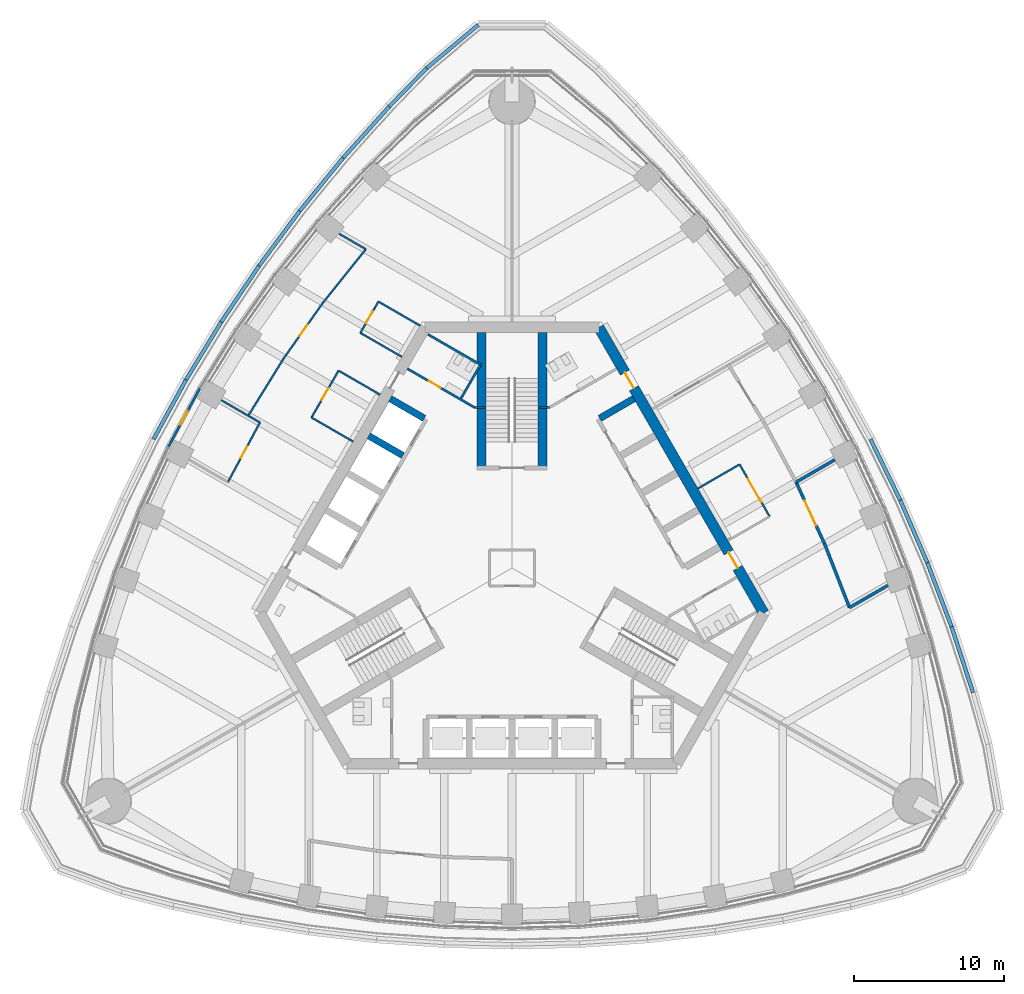
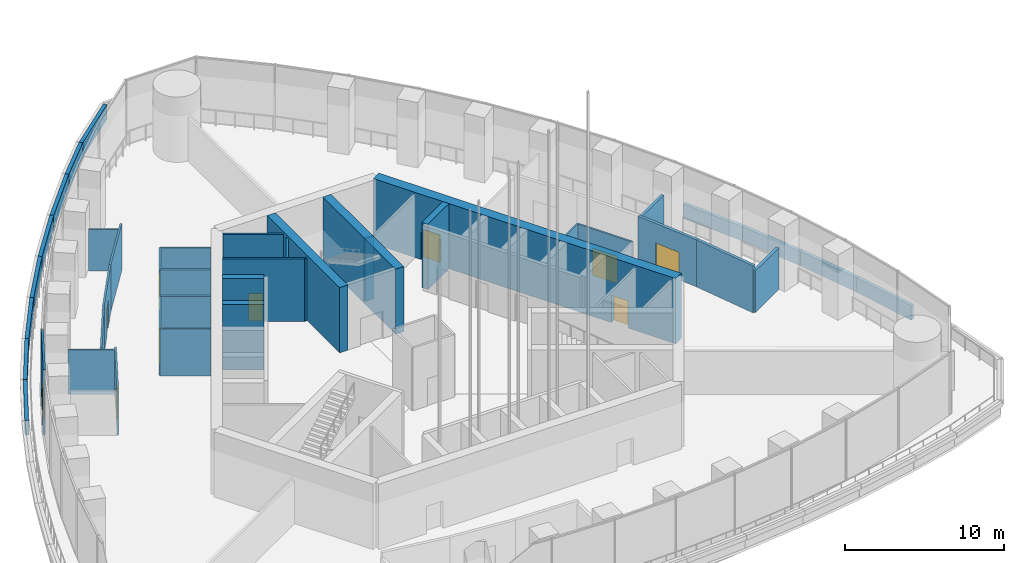
# One storey, part 11 of 26: 42 walls, 10 doors, 10 openings.
"""IFC4 building model written with IfcOpenShell, lengths in metres."""

from ifc_helpers import new_model, si_unit, direction, frame, frame_2d, origin, place, context, subcontext, project, spatial, rectangle, extrude, material, layer, layer_set, type_object, element, fill, save


model = new_model("IFC4")

# Units and contexts
model_context = context("Model", 3, precision=1e-05, world=origin(), true_north=direction((0.0, 1.0)))
body_context = subcontext(model_context, "Body", "Model", "MODEL_VIEW")
ifc_project = project(units=[si_unit("LENGTHUNIT", "METRE"), si_unit("AREAUNIT", "SQUARE_METRE"), si_unit("VOLUMEUNIT", "CUBIC_METRE"), si_unit("PLANEANGLEUNIT", "RADIAN"), si_unit("MASSUNIT", "GRAM", prefix="KILO")], contexts=[model_context])

# Site, building, storey
site_placement = place(None, origin())
site = spatial("IfcSite", under=ifc_project, at=site_placement, CompositionType="ELEMENT")
building_placement = place(site_placement, origin())
building = spatial("IfcBuilding", under=site, at=building_placement, Name="Trefoil Bronze Tower", CompositionType="ELEMENT")
storey_placement = place(building_placement, frame((0.0, 0.0, 271.300048828125)))
storey = spatial("IfcBuildingStorey", under=building, at=storey_placement, Name="L62", CompositionType="ELEMENT", Elevation=271.300048828125)

# Wall
ifc_material_1 = material(Name="Gypsum board on steel studs", Category="steel")
ifc_layer_1 = layer(ifc_material_1, 0.199951171875)
ifc_layer_set_1 = layer_set([ifc_layer_1], Name="Acoustic partition 200")
wall_type_1 = type_object("IfcWallType", Name="Acoustic partition 200", PredefinedType="PARTITIONING", material=ifc_layer_set_1)
wall_1_placement = place(storey_placement, frame((22.439208984375, -2.63330078125, 0.0), z_axis=(0.0, 0.0, 1.0), x_axis=(-0.363212149153, 0.931706463811, 0.0)))
element("IfcWall", 1, at=wall_1_placement, inside=storey, type_object=wall_type_1, Name="Partition F2 L62", PredefinedType="PARTITIONING", context=body_context, shape_type="SweptSolid", body=[
    extrude(rectangle(XDim=4.552734375, YDim=0.199951171875, at=frame_2d((2.2763671875, 0.0))), origin(), (0.0, 0.0, 1.0), 3.599853515625),
])

# Wall, opening, door
wall_2_placement = place(storey_placement, frame((20.78564453125, 1.6083984375, 0.0), z_axis=(0.0, 0.0, 1.0), x_axis=(-0.419335693458, 0.907831248742, 0.0)))
wall_2 = element("IfcWall", 2, at=wall_2_placement, inside=storey, type_object=wall_type_1, Name="Partition F2 L62", PredefinedType="PARTITIONING", context=body_context, shape_type="SweptSolid", body=[
    extrude(rectangle(XDim=4.5185546875, YDim=0.199951171875, at=frame_2d((2.25927734375, 0.0))), origin(), (0.0, 0.0, 1.0), 3.599853515625),
])
opening_1_placement = place(wall_2_placement, frame((1.35009765625, 0.0, 0.0)))
opening_1 = element("IfcOpeningElement", 3, at=opening_1_placement, cuts=wall_2, Name="Opening D10", PredefinedType="OPENING", context=body_context, shape_type="SweptSolid", body=[
    extrude(rectangle(XDim=1.800048828125, YDim=2.10009765625, at=frame_2d((0.89990234375, 1.050048828125))), frame((0.0, 0.10986328125, 0.0), z_axis=(0.0, -1.0, 0.0), x_axis=(1.0, 0.0, 0.0)), (0.0, 0.0, 1.0), 0.219970703125),
])
ifc_material_2 = material(Name="Timber door", Category="wood")
door_type_1 = type_object("IfcDoorType", Name="Double door 1800", OperationType="DOUBLE_DOOR_SINGLE_SWING", PredefinedType="DOOR", material=ifc_material_2)
door_1_placement = place(opening_1_placement, frame((1.800048828125, 0.0, 0.0), z_axis=(0.0, 0.0, 1.0), x_axis=(-1.0, 0.0, 0.0)))
door_1 = element("IfcDoor", 4, at=door_1_placement, inside=storey, type_object=door_type_1, Name="Private dining room door F2 L62", OperationType="DOUBLE_DOOR_SINGLE_SWING", OverallHeight=2.10009765625, OverallWidth=1.800048828125, PredefinedType="DOOR", context=body_context, shape_type="SweptSolid", body=[
    extrude(rectangle(XDim=1.800048828125, YDim=2.10009765625, at=frame_2d((0.89990234375, 1.050048828125))), frame((0.0, 0.02490234375, 0.0), z_axis=(0.0, -1.0, 0.0), x_axis=(1.0, 0.0, 0.0)), (0.0, 0.0, 1.0), 0.050048828125),
])
fill(opening_1, door_1)

# Walls
wall_3_placement = place(storey_placement, frame((22.439208984375, -2.63330078125, 0.0), z_axis=(0.0, 0.0, 1.0), x_axis=(0.866019881867, 0.500009564119, 0.0)))
element("IfcWall", 5, at=wall_3_placement, inside=storey, type_object=wall_type_1, Name="Partition F2 L62", PredefinedType="PARTITIONING", context=body_context, shape_type="SweptSolid", body=[
    extrude(rectangle(XDim=2.9443359375, YDim=0.199951171875, at=frame_2d((1.47216796875, 0.0))), origin(), (0.0, 0.0, 1.0), 3.199951171875),
])
wall_4_placement = place(storey_placement, frame((18.890869140625, 5.71044921875, 0.0), z_axis=(0.0, 0.0, 1.0), x_axis=(0.866032134716, 0.499988341504, 0.0)))
element("IfcWall", 6, at=wall_4_placement, inside=storey, type_object=wall_type_1, Name="Partition F2 L62", PredefinedType="PARTITIONING", context=body_context, shape_type="SweptSolid", body=[
    extrude(rectangle(XDim=2.96728515625, YDim=0.199951171875, at=frame_2d((1.483642578125, 0.0))), origin(), (0.0, 0.0, 1.0), 3.39990234375),
])

# Wall, openings, doors
ifc_material_3 = material(Name="Concrete B80", Category="concrete")
ifc_layer_2 = layer(ifc_material_3, 0.699951171875)
ifc_layer_set_2 = layer_set([ifc_layer_2], Name="Core wall 700")
wall_type_2 = type_object("IfcWallType", Name="Core wall 700", PredefinedType="SHEAR", material=ifc_layer_set_2)
wall_5_placement = place(storey_placement, frame((16.7431640625, -3.0, 0.0), z_axis=(0.0, 0.0, 1.0), x_axis=(-0.500002442456, 0.866023993627, 0.0)))
wall_5 = element("IfcWall", 7, at=wall_5_placement, inside=storey, type_object=wall_type_2, Name="Core long wall 2 L62", PredefinedType="SHEAR", context=body_context, shape_type="SweptSolid", body=[
    extrude(rectangle(XDim=21.939453125, YDim=0.699951171875, at=frame_2d((10.9697265625, 0.0))), origin(), (0.0, 0.0, 1.0), 5.0),
])
opening_2_placement = place(wall_5_placement, frame((17.269775390625, 0.0, 0.0)))
opening_2 = element("IfcOpeningElement", 8, at=opening_2_placement, cuts=wall_5, Name="Opening D2", PredefinedType="OPENING", context=body_context, shape_type="SweptSolid", body=[
    extrude(rectangle(XDim=1.199951171875, YDim=2.10009765625, at=frame_2d((0.60009765625, 1.050048828125))), frame((0.0, 0.35986328125, 0.0), z_axis=(0.0, -1.0, 0.0), x_axis=(1.0, 0.0, 0.0)), (0.0, 0.0, 1.0), 0.719970703125),
])
opening_3_placement = place(wall_5_placement, frame((3.4697265625, 0.0, 0.0)))
opening_3 = element("IfcOpeningElement", 9, at=opening_3_placement, cuts=wall_5, Name="Opening D2", PredefinedType="OPENING", context=body_context, shape_type="SweptSolid", body=[
    extrude(rectangle(XDim=1.199951171875, YDim=2.10009765625, at=frame_2d((0.60009765625, 1.050048828125))), frame((0.0, 0.35986328125, 0.0), z_axis=(0.0, -1.0, 0.0), x_axis=(1.0, 0.0, 0.0)), (0.0, 0.0, 1.0), 0.719970703125),
])
ifc_material_4 = material(Name="Steel door", Category="steel")
door_type_2 = type_object("IfcDoorType", Name="Lobby door 1200", OperationType="SINGLE_SWING_RIGHT", PredefinedType="DOOR", material=ifc_material_4)
door_2_placement = place(opening_2_placement, origin())
door_2 = element("IfcDoor", 10, at=door_2_placement, inside=storey, type_object=door_type_2, Name="Lobby door F2+ L62", OperationType="SINGLE_SWING_RIGHT", OverallHeight=2.10009765625, OverallWidth=1.199951171875, PredefinedType="DOOR", context=body_context, shape_type="SweptSolid", body=[
    extrude(rectangle(XDim=1.199951171875, YDim=2.10009765625, at=frame_2d((0.60009765625, 1.050048828125))), frame((0.0, 0.02490234375, 0.0), z_axis=(0.0, -1.0, 0.0), x_axis=(1.0, 0.0, 0.0)), (0.0, 0.0, 1.0), 0.050048828125),
])
fill(opening_2, door_2)
door_3_placement = place(opening_3_placement, origin())
door_3 = element("IfcDoor", 11, at=door_3_placement, inside=storey, type_object=door_type_2, Name="Lobby door F2- L62", OperationType="SINGLE_SWING_LEFT", OverallHeight=2.10009765625, OverallWidth=1.199951171875, PredefinedType="DOOR", context=body_context, shape_type="SweptSolid", body=[
    extrude(rectangle(XDim=1.199951171875, YDim=2.10009765625, at=frame_2d((0.60009765625, 1.050048828125))), frame((0.0, 0.02490234375, 0.0), z_axis=(0.0, -1.0, 0.0), x_axis=(1.0, 0.0, 0.0)), (0.0, 0.0, 1.0), 0.050048828125),
])
fill(opening_3, door_3)

# Wall, opening, door
ifc_material_5 = material(Name="Bronze-framed glazed screen", Category="glass")
ifc_layer_3 = layer(ifc_material_5, 0.14990234375)
ifc_layer_set_3 = layer_set([ifc_layer_3], Name="Entrance screen 150")
wall_type_3 = type_object("IfcWallType", Name="Entrance screen 150", PredefinedType="SOLIDWALL", material=ifc_layer_set_3)
wall_6_placement = place(storey_placement, frame((-20.7607421875, 11.9423828125, 0.0), z_axis=(0.0, 0.0, 1.0), x_axis=(-0.473567582955, -0.880757483292, 0.0)))
wall_6 = element("IfcWall", 12, at=wall_6_placement, inside=storey, type_object=wall_type_3, Name="Roof access screen CW-D L62 F3", PredefinedType="SOLIDWALL", context=body_context, shape_type="SweptSolid", body=[
    extrude(rectangle(XDim=4.43212890625, YDim=0.14990234375, at=frame_2d((2.216064453125, 0.0))), origin(), (0.0, 0.0, 1.0), 4.97998046875),
])
opening_4_placement = place(wall_6_placement, frame((1.716064453125, 0.0, 0.0)))
opening_4 = element("IfcOpeningElement", 13, at=opening_4_placement, cuts=wall_6, Name="Opening DE5", PredefinedType="OPENING", context=body_context, shape_type="SweptSolid", body=[
    extrude(rectangle(XDim=1.0, YDim=2.10009765625, at=frame_2d((0.5, 1.050048828125))), frame((0.0, 0.0849609375, 0.0), z_axis=(0.0, -1.0, 0.0), x_axis=(1.0, 0.0, 0.0)), (0.0, 0.0, 1.0), 0.169921875),
])
ifc_material_6 = material(Name="Steel door", Category="steel")
door_type_3 = type_object("IfcDoorType", Name="Roof access door 1000", OperationType="SINGLE_SWING_LEFT", PredefinedType="DOOR", material=ifc_material_6)
door_4_placement = place(opening_4_placement, origin())
door_4 = element("IfcDoor", 14, at=door_4_placement, inside=storey, type_object=door_type_3, Name="Roof access door F3 L62", OperationType="SINGLE_SWING_RIGHT", OverallHeight=2.10009765625, OverallWidth=1.0, PredefinedType="DOOR", context=body_context, shape_type="SweptSolid", body=[
    extrude(rectangle(XDim=1.0, YDim=2.10009765625, at=frame_2d((0.5, 1.050048828125))), frame((0.0, 0.02490234375, 0.0), z_axis=(0.0, -1.0, 0.0), x_axis=(1.0, 0.0, 0.0)), (0.0, 0.0, 1.0), 0.050048828125),
])
fill(opening_4, door_4)

ifc_material_7 = material(Name="Glazed partition", Category="glass")
ifc_layer_4 = layer(ifc_material_7, 0.1201171875)
ifc_layer_set_4 = layer_set([ifc_layer_4], Name="Glazed partition 120")
wall_type_4 = type_object("IfcWallType", Name="Glazed partition 120", PredefinedType="PARTITIONING", material=ifc_layer_set_4)
wall_7_placement = place(storey_placement, frame((17.1328125, 3.42529296875, 0.0), z_axis=(0.0, 0.0, 1.0), x_axis=(-0.49999894854, 0.866026010844, 0.0)))
wall_7 = element("IfcWall", 15, at=wall_7_placement, inside=storey, type_object=wall_type_4, Name="Partition F2 L62", PredefinedType="PARTITIONING", context=body_context, shape_type="SweptSolid", body=[
    extrude(rectangle(XDim=4.0, YDim=0.1201171875, at=frame_2d((2.0, 0.0))), origin(), (0.0, 0.0, 1.0), 3.599853515625),
])
opening_5_placement = place(wall_7_placement, frame((1.10009765625, 0.0, 0.0)))
opening_5 = element("IfcOpeningElement", 16, at=opening_5_placement, cuts=wall_7, Name="Opening D10", PredefinedType="OPENING", context=body_context, shape_type="SweptSolid", body=[
    extrude(rectangle(XDim=1.800048828125, YDim=2.10009765625, at=frame_2d((0.89990234375, 1.050048828125))), frame((0.0, 0.070068359375, 0.0), z_axis=(0.0, -1.0, 0.0), x_axis=(1.0, 0.0, 0.0)), (0.0, 0.0, 1.0), 0.14013671875),
])
door_5_placement = place(opening_5_placement, origin())
door_5 = element("IfcDoor", 17, at=door_5_placement, inside=storey, type_object=door_type_1, Name="Servery door F2 L62", OperationType="DOUBLE_DOOR_SINGLE_SWING", OverallHeight=2.10009765625, OverallWidth=1.800048828125, PredefinedType="DOOR", context=body_context, shape_type="SweptSolid", body=[
    extrude(rectangle(XDim=1.800048828125, YDim=2.10009765625, at=frame_2d((0.89990234375, 1.050048828125))), frame((0.0, 0.02490234375, 0.0), z_axis=(0.0, -1.0, 0.0), x_axis=(1.0, 0.0, 0.0)), (0.0, 0.0, 1.0), 0.050048828125),
])
fill(opening_5, door_5)

# Wall
wall_8_placement = place(storey_placement, frame((12.361328125, 5.289306640625, 0.0), z_axis=(0.0, 0.0, 1.0), x_axis=(0.866028054938, 0.499995408039, 0.0)))
element("IfcWall", 18, at=wall_8_placement, inside=storey, type_object=wall_type_4, Name="Partition F2 L62", PredefinedType="PARTITIONING", context=body_context, shape_type="SweptSolid", body=[
    extrude(rectangle(XDim=3.2001953125, YDim=0.1201171875, at=frame_2d((1.60009765625, 0.0))), origin(), (0.0, 0.0, 1.0), 3.599853515625),
])

# Wall, opening, door
wall_9_placement = place(storey_placement, frame((-8.8828125, 17.714599609375, 0.0), z_axis=(0.0, 0.0, 1.0), x_axis=(-0.500001309137, -0.866024647952, 0.0)))
wall_9 = element("IfcWall", 19, at=wall_9_placement, inside=storey, type_object=wall_type_4, Name="Partition F3 L62", PredefinedType="PARTITIONING", context=body_context, shape_type="SweptSolid", body=[
    extrude(rectangle(XDim=2.39990234375, YDim=0.1201171875, at=frame_2d((1.199951171875, 0.0))), origin(), (0.0, 0.0, 1.0), 3.599853515625),
])
opening_6_placement = place(wall_9_placement, frame((0.75, 0.0, 0.0)))
opening_6 = element("IfcOpeningElement", 20, at=opening_6_placement, cuts=wall_9, Name="Opening D8", PredefinedType="OPENING", context=body_context, shape_type="SweptSolid", body=[
    extrude(rectangle(XDim=0.89990234375, YDim=2.10009765625, at=frame_2d((0.449951171875, 1.050048828125))), frame((0.0, 0.070068359375, 0.0), z_axis=(0.0, -1.0, 0.0), x_axis=(1.0, 0.0, 0.0)), (0.0, 0.0, 1.0), 0.14013671875),
])
ifc_material_8 = material(Name="Timber door", Category="wood")
door_type_4 = type_object("IfcDoorType", Name="Office door 900", OperationType="SINGLE_SWING_LEFT", PredefinedType="DOOR", material=ifc_material_8)
door_6_placement = place(opening_6_placement, origin())
door_6 = element("IfcDoor", 21, at=door_6_placement, inside=storey, type_object=door_type_4, Name="Store door F3 L62", OperationType="SINGLE_SWING_RIGHT", OverallHeight=2.10009765625, OverallWidth=0.89990234375, PredefinedType="DOOR", context=body_context, shape_type="SweptSolid", body=[
    extrude(rectangle(XDim=0.89990234375, YDim=2.10009765625, at=frame_2d((0.449951171875, 1.050048828125))), frame((0.0, 0.02490234375, 0.0), z_axis=(0.0, -1.0, 0.0), x_axis=(1.0, 0.0, 0.0)), (0.0, 0.0, 1.0), 0.050048828125),
])
fill(opening_6, door_6)

wall_10_placement = place(storey_placement, frame((-11.53271484375, 13.124755859375, 0.0), z_axis=(0.0, 0.0, 1.0), x_axis=(-0.500012057535, -0.866018442252, 0.0)))
wall_10 = element("IfcWall", 22, at=wall_10_placement, inside=storey, type_object=wall_type_4, Name="Partition F3 L62", PredefinedType="PARTITIONING", context=body_context, shape_type="SweptSolid", body=[
    extrude(rectangle(XDim=3.60009765625, YDim=0.1201171875, at=frame_2d((1.800048828125, 0.0))), origin(), (0.0, 0.0, 1.0), 3.599853515625),
])
opening_7_placement = place(wall_10_placement, frame((1.35009765625, 0.0, 0.0)))
opening_7 = element("IfcOpeningElement", 23, at=opening_7_placement, cuts=wall_10, Name="Opening D8", PredefinedType="OPENING", context=body_context, shape_type="SweptSolid", body=[
    extrude(rectangle(XDim=0.89990234375, YDim=2.10009765625, at=frame_2d((0.449951171875, 1.050048828125))), frame((0.0, 0.070068359375, 0.0), z_axis=(0.0, -1.0, 0.0), x_axis=(1.0, 0.0, 0.0)), (0.0, 0.0, 1.0), 0.14013671875),
])
door_7_placement = place(opening_7_placement, origin())
door_7 = element("IfcDoor", 24, at=door_7_placement, inside=storey, type_object=door_type_4, Name="Cloakroom door F3 L62", OperationType="SINGLE_SWING_RIGHT", OverallHeight=2.10009765625, OverallWidth=0.89990234375, PredefinedType="DOOR", context=body_context, shape_type="SweptSolid", body=[
    extrude(rectangle(XDim=0.89990234375, YDim=2.10009765625, at=frame_2d((0.449951171875, 1.050048828125))), frame((0.0, 0.02490234375, 0.0), z_axis=(0.0, -1.0, 0.0), x_axis=(1.0, 0.0, 0.0)), (0.0, 0.0, 1.0), 0.050048828125),
])
fill(opening_7, door_7)

# Walls
wall_11_placement = place(storey_placement, frame((-6.111328125, 16.11474609375, 0.0), z_axis=(0.0, 0.0, 1.0), x_axis=(-0.866061088033, 0.499938187974, 0.0)))
element("IfcWall", 25, at=wall_11_placement, inside=storey, type_object=wall_type_4, Name="Partition F3 L62", PredefinedType="PARTITIONING", context=body_context, shape_type="SweptSolid", body=[
    extrude(rectangle(XDim=3.2001953125, YDim=0.1201171875, at=frame_2d((1.60009765625, 0.0))), origin(), (0.0, 0.0, 1.0), 3.599853515625),
])
for number, where, z_axis, x_axis, name in (
    (26, (-10.5615234375, 8.406982421875, 0.0), (0.0, 0.0, 1.0), (-0.866008981251, 0.500028443584, 0.0), "Partition F3 L62"),
    (27, (-8.761474609375, 11.524658203125, 0.0), (0.0, 0.0, 1.0), (-0.866008981251, 0.500028443584, 0.0), "Partition F3 L62"),
    (28, (-7.3115234375, 14.0361328125, 0.0), (0.0, 0.0, 1.0), (-0.866008981251, 0.500028443584, 0.0), "Partition F3 L62"),
):
    element("IfcWall", number, at=place(storey_placement, frame(where, z_axis=z_axis, x_axis=x_axis)), inside=storey, type_object=wall_type_4, Name=name, PredefinedType="PARTITIONING", context=body_context, shape_type="SweptSolid", body=[
        extrude(rectangle(XDim=3.199951171875, YDim=0.1201171875, at=frame_2d((1.60009765625, 0.0))), origin(), (0.0, 0.0, 1.0), 3.599853515625),
    ])

# Wall, opening, door
wall_12_placement = place(storey_placement, frame((-16.759033203125, 9.67578125, 0.0), z_axis=(0.0, 0.0, 1.0), x_axis=(-0.473524102582, -0.880780860529, 0.0)))
wall_12 = element("IfcWall", 29, at=wall_12_placement, inside=storey, type_object=wall_type_4, Name="Partition F3 L62", PredefinedType="PARTITIONING", context=body_context, shape_type="SweptSolid", body=[
    extrude(rectangle(XDim=4.501953125, YDim=0.1201171875, at=frame_2d((2.2509765625, 0.0))), origin(), (0.0, 0.0, 1.0), 3.599853515625),
])
opening_8_placement = place(wall_12_placement, frame((1.800048828125, 0.0, 0.0)))
opening_8 = element("IfcOpeningElement", 30, at=opening_8_placement, cuts=wall_12, Name="Opening D8", PredefinedType="OPENING", context=body_context, shape_type="SweptSolid", body=[
    extrude(rectangle(XDim=0.89990234375, YDim=2.10009765625, at=frame_2d((0.449951171875, 1.050048828125))), frame((0.0, 0.070068359375, 0.0), z_axis=(0.0, -1.0, 0.0), x_axis=(1.0, 0.0, 0.0)), (0.0, 0.0, 1.0), 0.14013671875),
])
door_8_placement = place(opening_8_placement, frame((0.89990234375, 0.0, 0.0), z_axis=(0.0, 0.0, 1.0), x_axis=(-1.0, 0.0, 0.0)))
door_8 = element("IfcDoor", 31, at=door_8_placement, inside=storey, type_object=door_type_4, Name="Roof access plant room door F3 L62", OperationType="SINGLE_SWING_RIGHT", OverallHeight=2.10009765625, OverallWidth=0.89990234375, PredefinedType="DOOR", context=body_context, shape_type="SweptSolid", body=[
    extrude(rectangle(XDim=0.89990234375, YDim=2.10009765625, at=frame_2d((0.449951171875, 1.050048828125))), frame((0.0, 0.02490234375, 0.0), z_axis=(0.0, -1.0, 0.0), x_axis=(1.0, 0.0, 0.0)), (0.0, 0.0, 1.0), 0.050048828125),
])
fill(opening_8, door_8)

# Walls
wall_13_placement = place(storey_placement, frame((-9.718505859375, 21.199462890625, 0.0), z_axis=(0.0, 0.0, 1.0), x_axis=(-0.625296536395, -0.780387238218, 0.0)))
element("IfcWall", 32, at=wall_13_placement, inside=storey, type_object=wall_type_4, Name="Partition F3 L62", PredefinedType="PARTITIONING", context=body_context, shape_type="SweptSolid", body=[
    extrude(rectangle(XDim=4.552490234375, YDim=0.1201171875, at=frame_2d((2.2763671875, 0.0))), origin(), (0.0, 0.0, 1.0), 3.599853515625),
])
wall_14_placement = place(storey_placement, frame((-15.17041015625, 13.954833984375, 0.0), z_axis=(0.0, 0.0, 1.0), x_axis=(-0.525956915034, -0.850511213052, 0.0)))
element("IfcWall", 33, at=wall_14_placement, inside=storey, type_object=wall_type_4, Name="Partition F3 L62", PredefinedType="PARTITIONING", context=body_context, shape_type="SweptSolid", body=[
    extrude(rectangle(XDim=4.502197265625, YDim=0.1201171875, at=frame_2d((2.2509765625, 0.0))), origin(), (0.0, 0.0, 1.0), 3.599853515625),
])

# Wall, opening, door
wall_15_placement = place(storey_placement, frame((-12.565185546875, 17.646728515625, 0.0), z_axis=(0.0, 0.0, 1.0), x_axis=(-0.576562277172, -0.817053205454, 0.0)))
wall_15 = element("IfcWall", 34, at=wall_15_placement, inside=storey, type_object=wall_type_4, Name="Partition F3 L62", PredefinedType="PARTITIONING", context=body_context, shape_type="SweptSolid", body=[
    extrude(rectangle(XDim=4.5185546875, YDim=0.1201171875, at=frame_2d((2.25927734375, 0.0))), origin(), (0.0, 0.0, 1.0), 3.599853515625),
])
opening_9_placement = place(wall_15_placement, frame((1.800048828125, 0.0, 0.0)))
opening_9 = element("IfcOpeningElement", 35, at=opening_9_placement, cuts=wall_15, Name="Opening D8", PredefinedType="OPENING", context=body_context, shape_type="SweptSolid", body=[
    extrude(rectangle(XDim=0.89990234375, YDim=2.10009765625, at=frame_2d((0.449951171875, 1.050048828125))), frame((0.0, 0.070068359375, 0.0), z_axis=(0.0, -1.0, 0.0), x_axis=(1.0, 0.0, 0.0)), (0.0, 0.0, 1.0), 0.14013671875),
])
door_9_placement = place(opening_9_placement, frame((0.89990234375, 0.0, 0.0), z_axis=(0.0, 0.0, 1.0), x_axis=(-1.0, 0.0, 0.0)))
door_9 = element("IfcDoor", 36, at=door_9_placement, inside=storey, type_object=door_type_4, Name="Wine room door F3 L62", OperationType="SINGLE_SWING_RIGHT", OverallHeight=2.10009765625, OverallWidth=0.89990234375, PredefinedType="DOOR", context=body_context, shape_type="SweptSolid", body=[
    extrude(rectangle(XDim=0.89990234375, YDim=2.10009765625, at=frame_2d((0.449951171875, 1.050048828125))), frame((0.0, 0.02490234375, 0.0), z_axis=(0.0, -1.0, 0.0), x_axis=(1.0, 0.0, 0.0)), (0.0, 0.0, 1.0), 0.050048828125),
])
fill(opening_9, door_9)

# Walls
wall_16_placement = place(storey_placement, frame((-16.759033203125, 9.67578125, 0.0), z_axis=(0.0, 0.0, 1.0), x_axis=(-0.866003515251, 0.500037910135, 0.0)))
element("IfcWall", 37, at=wall_16_placement, inside=storey, type_object=wall_type_4, Name="Partition F3 L62", PredefinedType="PARTITIONING", context=body_context, shape_type="SweptSolid", body=[
    extrude(rectangle(XDim=2.969970703125, YDim=0.1201171875, at=frame_2d((1.48486328125, 0.0))), origin(), (0.0, 0.0, 1.0), 3.39990234375),
])
wall_17_placement = place(storey_placement, frame((-9.718505859375, 21.199462890625, 0.0), z_axis=(0.0, 0.0, 1.0), x_axis=(-0.866022515895, 0.500005001938, 0.0)))
element("IfcWall", 38, at=wall_17_placement, inside=storey, type_object=wall_type_4, Name="Partition F3 L62", PredefinedType="PARTITIONING", context=body_context, shape_type="SweptSolid", body=[
    extrude(rectangle(XDim=2.04443359375, YDim=0.1201171875, at=frame_2d((1.022216796875, 0.0))), origin(), (0.0, 0.0, 1.0), 3.199951171875),
])
ifc_material_9 = material(Name="Concrete B80", Category="concrete")
ifc_layer_5 = layer(ifc_material_9, 0.449951171875)
ifc_layer_set_5 = layer_set([ifc_layer_5], Name="Outrigger shaft wall 450")
wall_type_5 = type_object("IfcWallType", Name="Outrigger shaft wall 450", PredefinedType="SHEAR", material=ifc_layer_set_5)
for number, where, z_axis, x_axis, name in (
    (39, (5.831787109375, 9.94873046875, 0.0), (0.0, 0.0, 1.0), (0.866036909293, 0.499980071345, 0.0), "Lift shaft side wall B4 L62"),
    (40, (-5.831787109375, 9.94873046875, 0.0), (0.0, 0.0, 1.0), (-0.866036909293, 0.499980071345, 0.0), "Lift shaft side wall C0 L62"),
    (41, (-7.2568359375, 7.480712890625, 0.0), (0.0, 0.0, 1.0), (-0.866036909293, 0.499980071345, 0.0), "Lift shaft side wall C1 L62"),
):
    element("IfcWall", number, at=place(storey_placement, frame(where, z_axis=z_axis, x_axis=x_axis)), inside=storey, type_object=wall_type_5, Name=name, PredefinedType="SHEAR", context=body_context, shape_type="SweptSolid", body=[
        extrude(rectangle(XDim=2.625, YDim=0.449951171875, at=frame_2d((1.3125, 0.0))), origin(), (0.0, 0.0, 1.0), 5.0),
    ])
ifc_material_10 = material(Name="Concrete B80", Category="concrete")
ifc_layer_6 = layer(ifc_material_10, 0.25)
ifc_layer_set_6 = layer_set([ifc_layer_6], Name="Parapet 250")
wall_type_6 = type_object("IfcWallType", Name="Parapet 250", PredefinedType="PARAPET", material=ifc_layer_set_6)
wall_18_placement = place(storey_placement, frame((30.655029296875, -8.281982421875, 0.0), z_axis=(0.0, 0.0, 1.0), x_axis=(-0.310154105003, 0.950686294815, 0.0)))
element("IfcWall", 42, at=wall_18_placement, inside=storey, type_object=wall_type_6, Name="Parapet L62.17", PredefinedType="PARAPET", context=body_context, shape_type="SweptSolid", body=[
    extrude(rectangle(XDim=4.599365234375, YDim=0.25, at=frame_2d((2.2998046875, 0.0))), origin(), (0.0, 0.0, 1.0), 1.099853515625),
])
wall_19_placement = place(storey_placement, frame((29.228515625, -3.909423828125, 0.0), z_axis=(0.0, 0.0, 1.0), x_axis=(-0.354219967303, 0.935162132875, 0.0)))
element("IfcWall", 43, at=wall_19_placement, inside=storey, type_object=wall_type_6, Name="Parapet L62.18", PredefinedType="PARAPET", context=body_context, shape_type="SweptSolid", body=[
    extrude(rectangle(XDim=4.559326171875, YDim=0.25, at=frame_2d((2.27978515625, 0.0))), origin(), (0.0, 0.0, 1.0), 1.099853515625),
])
wall_20_placement = place(storey_placement, frame((27.613525390625, 0.354248046875, 0.0), z_axis=(0.0, 0.0, 1.0), x_axis=(-0.397253491631, 0.917708920839, 0.0)))
element("IfcWall", 44, at=wall_20_placement, inside=storey, type_object=wall_type_6, Name="Parapet L62.19", PredefinedType="PARAPET", context=body_context, shape_type="SweptSolid", body=[
    extrude(rectangle(XDim=4.530029296875, YDim=0.25, at=frame_2d((2.26513671875, 0.0))), origin(), (0.0, 0.0, 1.0), 1.099853515625),
])
wall_21_placement = place(storey_placement, frame((25.81396484375, 4.511474609375, 0.0), z_axis=(0.0, 0.0, 1.0), x_axis=(-0.43911984878, 0.898428493764, 0.0)))
element("IfcWall", 45, at=wall_21_placement, inside=storey, type_object=wall_type_6, Name="Parapet L62.20", PredefinedType="PARAPET", context=body_context, shape_type="SweptSolid", body=[
    extrude(rectangle(XDim=4.5107421875, YDim=0.25, at=frame_2d((2.25537109375, 0.0))), origin(), (0.0, 0.0, 1.0), 1.099853515625),
])
wall_22_placement = place(storey_placement, frame((-2.2373046875, 36.114990234375, 0.0), z_axis=(0.0, 0.0, 1.0), x_axis=(-0.766065878984, -0.642762062553, 0.0)))
element("IfcWall", 46, at=wall_22_placement, inside=storey, type_object=wall_type_6, Name="Parapet L62.30", PredefinedType="PARAPET", context=body_context, shape_type="SweptSolid", body=[
    extrude(rectangle(XDim=4.474853515625, YDim=0.25, at=frame_2d((2.2373046875, 0.0))), origin(), (0.0, 0.0, 1.0), 1.099853515625),
])
wall_23_placement = place(storey_placement, frame((-5.665283203125, 33.23876953125, 0.0), z_axis=(0.0, 0.0, 1.0), x_axis=(-0.698630261643, -0.715482884154, 0.0)))
element("IfcWall", 47, at=wall_23_placement, inside=storey, type_object=wall_type_6, Name="Parapet L62.31", PredefinedType="PARAPET", context=body_context, shape_type="SweptSolid", body=[
    extrude(rectangle(XDim=3.563720703125, YDim=0.25, at=frame_2d((1.78173828125, 0.0))), origin(), (0.0, 0.0, 1.0), 1.099853515625),
])
wall_24_placement = place(storey_placement, frame((-8.155029296875, 30.68896484375, 0.0), z_axis=(0.0, 0.0, 1.0), x_axis=(-0.668245909458, -0.743940457626, 0.0)))
element("IfcWall", 48, at=wall_24_placement, inside=storey, type_object=wall_type_6, Name="Parapet L62.32", PredefinedType="PARAPET", context=body_context, shape_type="SweptSolid", body=[
    extrude(rectangle(XDim=4.599365234375, YDim=0.25, at=frame_2d((2.2998046875, 0.0))), origin(), (0.0, 0.0, 1.0), 1.099853515625),
])
wall_25_placement = place(storey_placement, frame((-11.228515625, 27.267333984375, 0.0), z_axis=(0.0, 0.0, 1.0), x_axis=(-0.632765292047, -0.774343647989, 0.0)))
element("IfcWall", 49, at=wall_25_placement, inside=storey, type_object=wall_type_6, Name="Parapet L62.33", PredefinedType="PARAPET", context=body_context, shape_type="SweptSolid", body=[
    extrude(rectangle(XDim=4.559326171875, YDim=0.25, at=frame_2d((2.27978515625, 0.0))), origin(), (0.0, 0.0, 1.0), 1.099853515625),
])
wall_26_placement = place(storey_placement, frame((-14.113525390625, 23.73681640625, 0.0), z_axis=(0.0, 0.0, 1.0), x_axis=(-0.59613842716, -0.802881669777, 0.0)))
element("IfcWall", 50, at=wall_26_placement, inside=storey, type_object=wall_type_6, Name="Parapet L62.34", PredefinedType="PARAPET", context=body_context, shape_type="SweptSolid", body=[
    extrude(rectangle(XDim=4.52978515625, YDim=0.25, at=frame_2d((2.264892578125, 0.0))), origin(), (0.0, 0.0, 1.0), 1.099853515625),
])
wall_27_placement = place(storey_placement, frame((-16.81396484375, 20.099853515625, 0.0), z_axis=(0.0, 0.0, 1.0), x_axis=(-0.55850386778, -0.829501916619, 0.0)))
element("IfcWall", 51, at=wall_27_placement, inside=storey, type_object=wall_type_6, Name="Parapet L62.35", PredefinedType="PARAPET", context=body_context, shape_type="SweptSolid", body=[
    extrude(rectangle(XDim=4.5107421875, YDim=0.25, at=frame_2d((2.25537109375, 0.0))), origin(), (0.0, 0.0, 1.0), 1.099853515625),
])
wall_28_placement = place(storey_placement, frame((-19.333251953125, 16.358154296875, 0.0), z_axis=(0.0, 0.0, 1.0), x_axis=(-0.519790350351, -0.85429385558, 0.0)))
element("IfcWall", 52, at=wall_28_placement, inside=storey, type_object=wall_type_6, Name="Parapet L62.36", PredefinedType="PARAPET", context=body_context, shape_type="SweptSolid", body=[
    extrude(rectangle(XDim=4.5009765625, YDim=0.25, at=frame_2d((2.25048828125, 0.0))), origin(), (0.0, 0.0, 1.0), 1.099853515625),
])
wall_29_placement = place(storey_placement, frame((-21.6728515625, 12.512939453125, 0.0), z_axis=(0.0, 0.0, 1.0), x_axis=(-0.479949984371, -0.877295852322, 0.0)))
element("IfcWall", 53, at=wall_29_placement, inside=storey, type_object=wall_type_6, Name="Parapet L62.37", PredefinedType="PARAPET", context=body_context, shape_type="SweptSolid", body=[
    extrude(rectangle(XDim=4.501220703125, YDim=0.25, at=frame_2d((2.25048828125, 0.0))), origin(), (0.0, 0.0, 1.0), 1.099853515625),
])

# Wall, opening, door
ifc_material_11 = material(Name="Gypsum board on steel studs", Category="steel")
ifc_layer_7 = layer(ifc_material_11, 0.14990234375)
ifc_layer_set_7 = layer_set([ifc_layer_7], Name="Partition 150")
wall_type_7 = type_object("IfcWallType", Name="Partition 150", PredefinedType="PARTITIONING", material=ifc_layer_set_7)
wall_30_placement = place(storey_placement, frame((-2.4951171875, 10.67822265625, 0.0), z_axis=(0.0, 0.0, 1.0), x_axis=(-0.866037967349, 0.499978238636, 0.0)))
wall_30 = element("IfcWall", 54, at=wall_30_placement, inside=storey, type_object=wall_type_7, Name="Passage wall F3- L62", PredefinedType="PARTITIONING", context=body_context, shape_type="SweptSolid", body=[
    extrude(rectangle(XDim=5.150146484375, YDim=0.14990234375, at=frame_2d((2.5751953125, 0.0))), origin(), (0.0, 0.0, 1.0), 4.800048828125),
])
opening_10_placement = place(wall_30_placement, frame((2.60009765625, 0.0, 0.0)))
opening_10 = element("IfcOpeningElement", 55, at=opening_10_placement, cuts=wall_30, Name="Opening D3", PredefinedType="OPENING", context=body_context, shape_type="SweptSolid", body=[
    extrude(rectangle(XDim=0.89990234375, YDim=2.10009765625, at=frame_2d((0.449951171875, 1.050048828125))), frame((0.0, 0.0849609375, 0.0), z_axis=(0.0, -1.0, 0.0), x_axis=(1.0, 0.0, 0.0)), (0.0, 0.0, 1.0), 0.169921875),
])
ifc_material_12 = material(Name="Timber door", Category="wood")
door_type_5 = type_object("IfcDoorType", Name="WC door 900", OperationType="SINGLE_SWING_LEFT", PredefinedType="DOOR", material=ifc_material_12)
door_10_placement = place(opening_10_placement, frame((0.89990234375, 0.0, 0.0), z_axis=(0.0, 0.0, 1.0), x_axis=(-1.0, 0.0, 0.0)))
door_10 = element("IfcDoor", 56, at=door_10_placement, inside=storey, type_object=door_type_5, Name="WC (women) door L62", OperationType="SINGLE_SWING_RIGHT", OverallHeight=2.10009765625, OverallWidth=0.89990234375, PredefinedType="DOOR", context=body_context, shape_type="SweptSolid", body=[
    extrude(rectangle(XDim=0.89990234375, YDim=2.10009765625, at=frame_2d((0.449951171875, 1.050048828125))), frame((0.0, 0.02490234375, 0.0), z_axis=(0.0, -1.0, 0.0), x_axis=(1.0, 0.0, 0.0)), (0.0, 0.0, 1.0), 0.050048828125),
])
fill(opening_10, door_10)

# Walls
for number, where, z_axis, x_axis, name in (
    (57, (2.4951171875, 10.67822265625, 0.0), (0.0, 0.0, 1.0), (-1.0, 0.0, 0.0), "WC wall ST2-1 L62"),
    (58, (-2.4951171875, 10.67822265625, 0.0), (0.0, 0.0, 1.0), (1.0, 0.0, 0.0), "WC wall ST2+1 L62"),
):
    element("IfcWall", number, at=place(storey_placement, frame(where, z_axis=z_axis, x_axis=x_axis)), inside=storey, type_object=wall_type_7, Name=name, PredefinedType="PARTITIONING", context=body_context, shape_type="SweptSolid", body=[
        extrude(rectangle(XDim=0.64501953125, YDim=0.14990234375, at=frame_2d((0.322509765625, 0.0))), origin(), (0.0, 0.0, 1.0), 4.800048828125),
    ])
wall_31_placement = place(storey_placement, frame((-2.03125, 13.48193359375, 0.0), z_axis=(0.0, 0.0, 1.0), x_axis=(-0.866050731258, 0.499956128963, 0.0)))
element("IfcWall", 59, at=wall_31_placement, inside=storey, type_object=wall_type_7, Name="WC partition WC (women) L62", PredefinedType="PARTITIONING", context=body_context, shape_type="SweptSolid", body=[
    extrude(rectangle(XDim=4.099853515625, YDim=0.14990234375, at=frame_2d((2.0498046875, 0.0))), origin(), (0.0, 0.0, 1.0), 4.800048828125),
])
wall_32_placement = place(storey_placement, frame((-3.388671875, 11.28076171875, 0.0), z_axis=(0.0, 0.0, 1.0), x_axis=(0.499989096993, 0.866031698547, 0.0)))
element("IfcWall", 60, at=wall_32_placement, inside=storey, type_object=wall_type_7, Name="WC partition WC (women) L62", PredefinedType="PARTITIONING", context=body_context, shape_type="SweptSolid", body=[
    extrude(rectangle(XDim=2.509765625, YDim=0.14990234375, at=frame_2d((1.2548828125, 0.0))), origin(), (0.0, 0.0, 1.0), 4.800048828125),
])
ifc_material_13 = material(Name="Concrete B80", Category="concrete")
ifc_layer_8 = layer(ifc_material_13, 0.60009765625)
ifc_layer_set_8 = layer_set([ifc_layer_8], Name="Stair wall 600")
wall_type_8 = type_object("IfcWallType", Name="Stair wall 600", PredefinedType="SHEAR", material=ifc_layer_set_8)
for number, where, z_axis, x_axis, name in (
    (61, (2.02490234375, 6.52490234375, 0.0), (0.0, 0.0, 1.0), (0.0, 1.0, 0.0), "Stair wall ST2 L62"),
    (62, (-2.02490234375, 6.52490234375, 0.0), (0.0, 0.0, 1.0), (0.0, 1.0, 0.0), "Stair wall ST2 L62"),
):
    element("IfcWall", number, at=place(storey_placement, frame(where, z_axis=z_axis, x_axis=x_axis)), inside=storey, type_object=wall_type_8, Name=name, PredefinedType="SHEAR", context=body_context, shape_type="SweptSolid", body=[
        extrude(rectangle(XDim=9.125, YDim=0.60009765625, at=frame_2d((4.5625, 0.0))), origin(), (0.0, 0.0, 1.0), 5.0),
    ])

save(model, "model.ifc")
